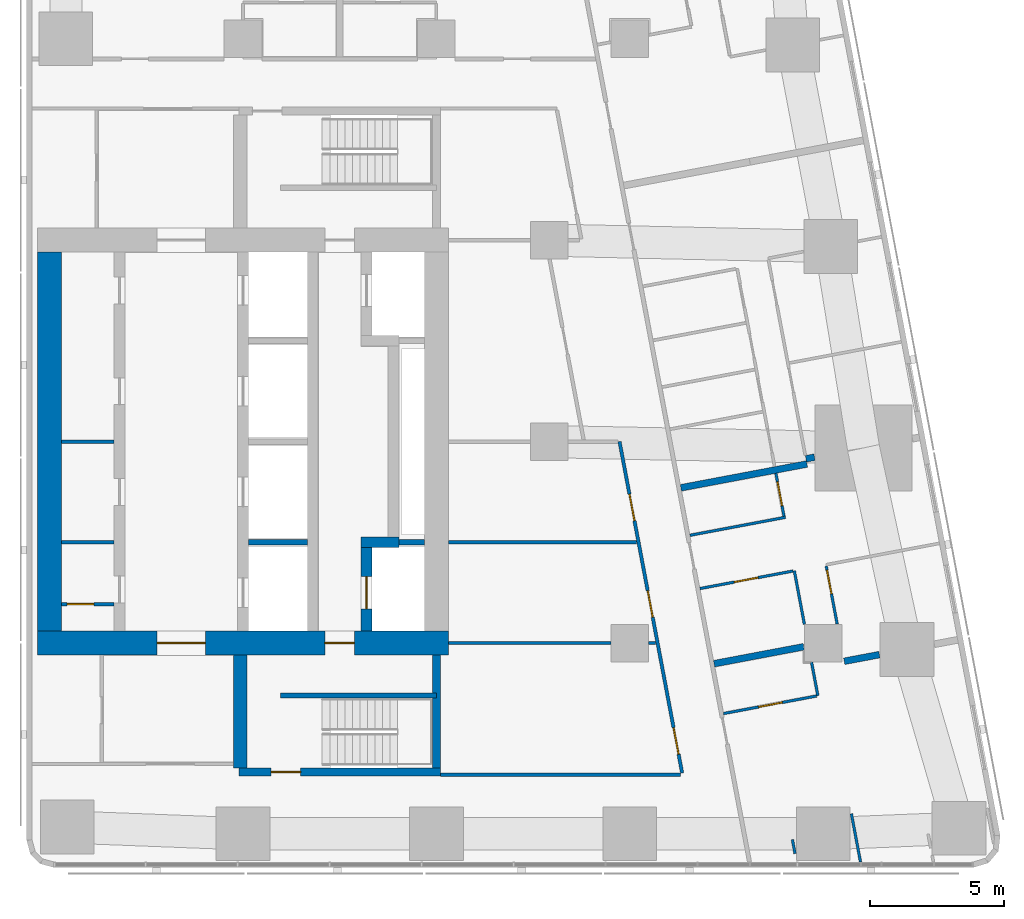
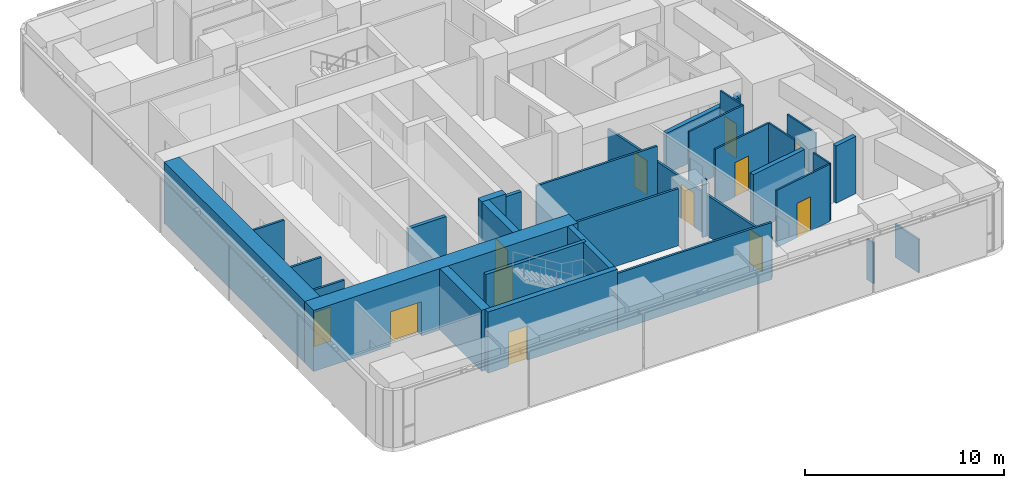
# One storey, part 5 of 11: 31 walls, 12 doors, 12 openings.
"""IFC4 building model written with IfcOpenShell, lengths in metres."""

from ifc_helpers import new_model, si_unit, direction, frame, frame_2d, origin, place, context, subcontext, project, spatial, rectangle, extrude, material, layer, layer_set, type_object, element, fill, save


model = new_model("IFC4")

# Units and contexts
model_context = context("Model", 3, precision=1e-05, world=origin(), true_north=direction((0.0, 1.0)))
body_context = subcontext(model_context, "Body", "Model", "MODEL_VIEW")
ifc_project = project(units=[si_unit("LENGTHUNIT", "METRE"), si_unit("AREAUNIT", "SQUARE_METRE"), si_unit("VOLUMEUNIT", "CUBIC_METRE"), si_unit("PLANEANGLEUNIT", "RADIAN"), si_unit("MASSUNIT", "GRAM", prefix="KILO")], contexts=[model_context])

# Site, building, storey
site_placement = place(None, origin())
site = spatial("IfcSite", under=ifc_project, at=site_placement, CompositionType="ELEMENT")
building_placement = place(site_placement, origin())
building = spatial("IfcBuilding", under=site, at=building_placement, Name="Sheger Commons Tower", CompositionType="ELEMENT")
storey_placement = place(building_placement, frame((0.0, 0.0, 259.10009765625)))
storey = spatial("IfcBuildingStorey", under=building, at=storey_placement, Name="L66", CompositionType="ELEMENT", Elevation=259.10009765625)

# Wall, opening, door
ifc_material_1 = material(Name="Concrete C50/60", Category="concrete")
ifc_layer_1 = layer(ifc_material_1, 0.39990234375)
ifc_layer_set_1 = layer_set([ifc_layer_1], Name="CORE INNER WALL 400")
wall_type_1 = type_object("IfcWallType", Name="CORE INNER WALL 400", PredefinedType="SHEAR", material=ifc_layer_set_1)
wall_1_placement = place(storey_placement, frame((26.199951171875, 15.449951171875, 0.0), z_axis=(0.0, 0.0, 1.0), x_axis=(0.0, 1.0, 0.0)))
wall_1 = element("IfcWall", 1, at=wall_1_placement, inside=storey, type_object=wall_type_1, Name="Core inner wall F L66", PredefinedType="SHEAR", context=body_context, shape_type="SweptSolid", body=[
    extrude(rectangle(XDim=3.10009765625, YDim=0.39990234375, at=frame_2d((1.550048828125, 0.0))), origin(), (0.0, 0.0, 1.0), 3.75),
])
opening_1_placement = place(wall_1_placement, frame((0.824951171875, 0.0, 0.0)))
opening_1 = element("IfcOpeningElement", 2, at=opening_1_placement, cuts=wall_1, Name="Opening LD2", PredefinedType="OPENING", context=body_context, shape_type="SweptSolid", body=[
    extrude(rectangle(XDim=1.199951171875, YDim=2.10009765625, at=frame_2d((0.60009765625, 1.050048828125))), frame((0.0, 0.2099609375, 0.0), z_axis=(0.0, -1.0, 0.0), x_axis=(1.0, 0.0, 0.0)), (0.0, 0.0, 1.0), 0.419921875),
])
ifc_material_2 = material(Name="Steel door set, fire rated", Category="steel")
door_type_1 = type_object("IfcDoorType", Name="FIREFIGHTING LIFT LANDING DOOR 1200x2100", OperationType="DOUBLE_DOOR_SLIDING", PredefinedType="DOOR", material=ifc_material_2)
door_1_placement = place(opening_1_placement, origin())
door_1 = element("IfcDoor", 3, at=door_1_placement, inside=storey, type_object=door_type_1, Name="Lift FL1 landing door", OperationType="DOUBLE_DOOR_SLIDING", OverallHeight=2.10009765625, OverallWidth=1.199951171875, PredefinedType="DOOR", context=body_context, shape_type="SweptSolid", body=[
    extrude(rectangle(XDim=1.199951171875, YDim=2.10009765625, at=frame_2d((0.60009765625, 1.050048828125))), frame((0.0, 0.02490234375, 0.0), z_axis=(0.0, -1.0, 0.0), x_axis=(1.0, 0.0, 0.0)), (0.0, 0.0, 1.0), 0.050048828125),
])
fill(opening_1, door_1)

# Wall
wall_2_placement = place(storey_placement, frame((26.0, 18.75, 0.0), z_axis=(0.0, 0.0, 1.0), x_axis=(1.0, 0.0, 0.0)))
element("IfcWall", 4, at=wall_2_placement, inside=storey, type_object=wall_type_1, Name="Core inner wall F south return L66", PredefinedType="SHEAR", context=body_context, shape_type="SweptSolid", body=[
    extrude(rectangle(XDim=1.39990234375, YDim=0.39990234375, at=frame_2d((0.699951171875, 0.0))), origin(), (0.0, 0.0, 1.0), 3.75),
])

# Wall, openings, doors
ifc_material_3 = material(Name="Concrete C50/60", Category="concrete")
ifc_layer_2 = layer(ifc_material_3, 0.89990234375)
ifc_layer_set_2 = layer_set([ifc_layer_2], Name="CORE WALL 900")
wall_type_2 = type_object("IfcWallType", Name="CORE WALL 900", PredefinedType="SHEAR", material=ifc_layer_set_2)
wall_3_placement = place(storey_placement, frame((13.949951171875, 15.0, 0.0), z_axis=(0.0, 0.0, 1.0), x_axis=(1.0, 0.0, 0.0)))
wall_3 = element("IfcWall", 5, at=wall_3_placement, inside=storey, type_object=wall_type_2, Name="Core wall south L66", PredefinedType="SHEAR", context=body_context, shape_type="SweptSolid", body=[
    extrude(rectangle(XDim=15.300048828125, YDim=0.89990234375, at=frame_2d((7.64990234375, 0.0))), origin(), (0.0, 0.0, 1.0), 3.75),
])
opening_2_placement = place(wall_3_placement, frame((4.449951171875, 0.0, 0.0)))
opening_2 = element("IfcOpeningElement", 6, at=opening_2_placement, cuts=wall_3, Name="Opening D6", PredefinedType="OPENING", context=body_context, shape_type="SweptSolid", body=[
    extrude(rectangle(XDim=1.800048828125, YDim=2.10009765625, at=frame_2d((0.89990234375, 1.050048828125))), frame((0.0, 0.4599609375, 0.0), z_axis=(0.0, -1.0, 0.0), x_axis=(1.0, 0.0, 0.0)), (0.0, 0.0, 1.0), 0.919921875),
])
opening_3_placement = place(wall_3_placement, frame((10.699951171875, 0.0, 0.0)))
opening_3 = element("IfcOpeningElement", 7, at=opening_3_placement, cuts=wall_3, Name="Opening D5", PredefinedType="OPENING", context=body_context, shape_type="SweptSolid", body=[
    extrude(rectangle(XDim=1.10009765625, YDim=2.10009765625, at=frame_2d((0.550048828125, 1.050048828125))), frame((0.0, 0.4599609375, 0.0), z_axis=(0.0, -1.0, 0.0), x_axis=(1.0, 0.0, 0.0)), (0.0, 0.0, 1.0), 0.919921875),
])
ifc_material_4 = material(Name="Steel door set, fire rated", Category="steel")
door_type_2 = type_object("IfcDoorType", Name="LOBBY DOUBLE DOOR 1800x2100", OperationType="DOUBLE_DOOR_SINGLE_SWING", PredefinedType="DOOR", material=ifc_material_4)
door_2_placement = place(opening_2_placement, origin())
door_2 = element("IfcDoor", 8, at=door_2_placement, inside=storey, type_object=door_type_2, Name="Lift lobby door", OperationType="DOUBLE_DOOR_SINGLE_SWING", OverallHeight=2.10009765625, OverallWidth=1.800048828125, PredefinedType="DOOR", context=body_context, shape_type="SweptSolid", body=[
    extrude(rectangle(XDim=1.800048828125, YDim=2.10009765625, at=frame_2d((0.89990234375, 1.050048828125))), frame((0.0, 0.02490234375, 0.0), z_axis=(0.0, -1.0, 0.0), x_axis=(1.0, 0.0, 0.0)), (0.0, 0.0, 1.0), 0.050048828125),
])
fill(opening_2, door_2)
ifc_material_5 = material(Name="Steel door set, fire rated", Category="steel")
door_type_3 = type_object("IfcDoorType", Name="STAIR DOOR 1100x2100", OperationType="NOTDEFINED", PredefinedType="DOOR", material=ifc_material_5)
door_3_placement = place(opening_3_placement, origin())
door_3 = element("IfcDoor", 9, at=door_3_placement, inside=storey, type_object=door_type_3, Name="Fire-fighting lobby door", OperationType="SINGLE_SWING_LEFT", OverallHeight=2.10009765625, OverallWidth=1.10009765625, PredefinedType="DOOR", context=body_context, shape_type="SweptSolid", body=[
    extrude(rectangle(XDim=1.10009765625, YDim=2.10009765625, at=frame_2d((0.550048828125, 1.050048828125))), frame((0.0, 0.02490234375, 0.0), z_axis=(0.0, -1.0, 0.0), x_axis=(1.0, 0.0, 0.0)), (0.0, 0.0, 1.0), 0.050048828125),
])
fill(opening_3, door_3)

# Walls
wall_4_placement = place(storey_placement, frame((14.39990234375, 15.449951171875, 0.0), z_axis=(0.0, 0.0, 1.0), x_axis=(0.0, 1.0, 0.0)))
element("IfcWall", 10, at=wall_4_placement, inside=storey, type_object=wall_type_2, Name="Core wall west L66", PredefinedType="SHEAR", context=body_context, shape_type="SweptSolid", body=[
    extrude(rectangle(XDim=14.10009765625, YDim=0.89990234375, at=frame_2d((7.050048828125, 0.0))), origin(), (0.0, 0.0, 1.0), 3.75),
])
ifc_material_6 = material(Name="Dense concrete block masonry, plastered both sides (separating wall between flats)", Category="masonry")
ifc_layer_3 = layer(ifc_material_6, 0.25)
ifc_layer_set_3 = layer_set([ifc_layer_3], Name="DEMISING WALL 250")
wall_type_3 = type_object("IfcWallType", Name="DEMISING WALL 250", PredefinedType="SOLIDWALL", material=ifc_layer_set_3)
wall_5_placement = place(storey_placement, frame((42.873046875, 21.91796875, 0.0), z_axis=(0.0, 0.0, 1.0), x_axis=(-0.982431406936, -0.186624035603, 0.0)))
element("IfcWall", 11, at=wall_5_placement, inside=storey, type_object=wall_type_3, Name="Demising wall L66", PredefinedType="SOLIDWALL", context=body_context, shape_type="SweptSolid", body=[
    extrude(rectangle(XDim=0.32177734375, YDim=0.25, at=frame_2d((0.160888671875, 0.0))), origin(), (0.0, 0.0, 1.0), 2.5),
])
wall_6_placement = place(storey_placement, frame((42.593017578125, 21.6650390625, 0.0), z_axis=(0.0, 0.0, 1.0), x_axis=(-0.982635807605, -0.185544791394, 0.0)))
element("IfcWall", 12, at=wall_6_placement, inside=storey, type_object=wall_type_3, Name="Demising wall L66", PredefinedType="SOLIDWALL", context=body_context, shape_type="SweptSolid", body=[
    extrude(rectangle(XDim=4.775146484375, YDim=0.25, at=frame_2d((2.3876953125, 0.0))), origin(), (0.0, 0.0, 1.0), 2.5),
])
wall_7_placement = place(storey_placement, frame((45.2900390625, 14.569091796875, 0.0), z_axis=(0.0, 0.0, 1.0), x_axis=(-0.982676759201, -0.185327782391, 0.0)))
element("IfcWall", 13, at=wall_7_placement, inside=storey, type_object=wall_type_3, Name="Demising wall L66", PredefinedType="SOLIDWALL", context=body_context, shape_type="SweptSolid", body=[
    extrude(rectangle(XDim=1.333251953125, YDim=0.25, at=frame_2d((0.66650390625, 0.0))), origin(), (0.0, 0.0, 1.0), 3.5),
])
wall_8_placement = place(storey_placement, frame((42.47607421875, 14.863037109375, 0.0), z_axis=(0.0, 0.0, 1.0), x_axis=(-0.982603567712, -0.185715450942, 0.0)))
element("IfcWall", 14, at=wall_8_placement, inside=storey, type_object=wall_type_3, Name="Demising wall L66", PredefinedType="SOLIDWALL", context=body_context, shape_type="SweptSolid", body=[
    extrude(rectangle(XDim=3.398193359375, YDim=0.25, at=frame_2d((1.69921875, 0.0))), origin(), (0.0, 0.0, 1.0), 3.5),
])
ifc_material_7 = material(Name="Gypsum board on steel studs", Category="steel")
ifc_layer_4 = layer(ifc_material_7, 0.10009765625)
ifc_layer_set_4 = layer_set([ifc_layer_4], Name="PARTITION 100")
wall_type_4 = type_object("IfcWallType", Name="PARTITION 100", PredefinedType="PARTITIONING", material=ifc_layer_set_4)
wall_9_placement = place(storey_placement, frame((44.248046875, 8.64599609375, 0.0), z_axis=(0.0, 0.0, 1.0), x_axis=(0.185417594585, -0.982659816833, 0.0)))
element("IfcWall", 15, at=wall_9_placement, inside=storey, type_object=wall_type_4, Name="Partition L66", PredefinedType="PARTITIONING", context=body_context, shape_type="SweptSolid", body=[
    extrude(rectangle(XDim=1.82763671875, YDim=0.10009765625, at=frame_2d((0.913818359375, 0.0))), origin(), (0.0, 0.0, 1.0), 2.0498046875),
])
wall_10_placement = place(storey_placement, frame((42.15087890625, 7.159912109375, 0.0), z_axis=(0.0, 0.0, 1.0), x_axis=(-0.185366164644, 0.982669519729, 0.0)))
element("IfcWall", 16, at=wall_10_placement, inside=storey, type_object=wall_type_4, Name="Partition L66", PredefinedType="PARTITIONING", context=body_context, shape_type="SweptSolid", body=[
    extrude(rectangle(XDim=0.533447265625, YDim=0.10009765625, at=frame_2d((0.2666015625, 0.0))), origin(), (0.0, 0.0, 1.0), 2.5),
])

# Wall, opening, door
wall_11_placement = place(storey_placement, frame((41.43701171875, 21.319091796875, 0.0), z_axis=(0.0, 0.0, 1.0), x_axis=(0.185793689589, -0.982588777113, 0.0)))
wall_11 = element("IfcWall", 17, at=wall_11_placement, inside=storey, type_object=wall_type_4, Name="Partition L66", PredefinedType="PARTITIONING", context=body_context, shape_type="SweptSolid", body=[
    extrude(rectangle(XDim=1.62548828125, YDim=0.10009765625, at=frame_2d((0.812744140625, 0.0))), origin(), (0.0, 0.0, 1.0), 3.5),
])
opening_4_placement = place(wall_11_placement, frame((0.324951171875, 0.0, 0.0)))
opening_4 = element("IfcOpeningElement", 18, at=opening_4_placement, cuts=wall_11, Name="Opening D2", PredefinedType="OPENING", context=body_context, shape_type="SweptSolid", body=[
    extrude(rectangle(XDim=0.89990234375, YDim=2.10009765625, at=frame_2d((0.449951171875, 1.050048828125))), frame((0.0, 0.06005859375, 0.0), z_axis=(0.0, -1.0, 0.0), x_axis=(1.0, 0.0, 0.0)), (0.0, 0.0, 1.0), 0.1201171875),
])
ifc_material_8 = material(Name="Timber door set", Category="wood")
door_type_4 = type_object("IfcDoorType", Name="INTERNAL DOOR 900x2100", OperationType="NOTDEFINED", PredefinedType="DOOR", material=ifc_material_8)
door_4_placement = place(opening_4_placement, origin())
door_4 = element("IfcDoor", 19, at=door_4_placement, inside=storey, type_object=door_type_4, Name="Shower room door", OperationType="SINGLE_SWING_RIGHT", OverallHeight=2.10009765625, OverallWidth=0.89990234375, PredefinedType="DOOR", context=body_context, shape_type="SweptSolid", body=[
    extrude(rectangle(XDim=0.89990234375, YDim=2.10009765625, at=frame_2d((0.449951171875, 1.050048828125))), frame((0.0, 0.02490234375, 0.0), z_axis=(0.0, -1.0, 0.0), x_axis=(1.0, 0.0, 0.0)), (0.0, 0.0, 1.0), 0.050048828125),
])
fill(opening_4, door_4)

# Wall
wall_12_placement = place(storey_placement, frame((41.798095703125, 19.681884765625, 0.0), z_axis=(0.0, 0.0, 1.0), x_axis=(-0.982681091817, -0.185304807776, 0.0)))
element("IfcWall", 20, at=wall_12_placement, inside=storey, type_object=wall_type_4, Name="Partition L66", PredefinedType="PARTITIONING", context=body_context, shape_type="SweptSolid", body=[
    extrude(rectangle(XDim=3.625732421875, YDim=0.10009765625, at=frame_2d((1.81298828125, 0.0))), origin(), (0.0, 0.0, 1.0), 3.5),
])

# Wall, opening, door
wall_13_placement = place(storey_placement, frame((43.31103515625, 17.864990234375, 0.0), z_axis=(0.0, 0.0, 1.0), x_axis=(0.185572140257, -0.982630643101, 0.0)))
wall_13 = element("IfcWall", 21, at=wall_13_placement, inside=storey, type_object=wall_type_4, Name="Partition L66", PredefinedType="PARTITIONING", context=body_context, shape_type="SweptSolid", body=[
    extrude(rectangle(XDim=2.193115234375, YDim=0.10009765625, at=frame_2d((1.0966796875, 0.0))), origin(), (0.0, 0.0, 1.0), 3.5),
])
opening_5_placement = place(wall_13_placement, frame((0.14990234375, 0.0, 0.0)))
opening_5 = element("IfcOpeningElement", 22, at=opening_5_placement, cuts=wall_13, Name="Opening D2", PredefinedType="OPENING", context=body_context, shape_type="SweptSolid", body=[
    extrude(rectangle(XDim=0.89990234375, YDim=2.10009765625, at=frame_2d((0.449951171875, 1.050048828125))), frame((0.0, 0.06005859375, 0.0), z_axis=(0.0, -1.0, 0.0), x_axis=(1.0, 0.0, 0.0)), (0.0, 0.0, 1.0), 0.1201171875),
])
door_5_placement = place(opening_5_placement, origin())
door_5 = element("IfcDoor", 23, at=door_5_placement, inside=storey, type_object=door_type_4, Name="Main bedroom door", OperationType="SINGLE_SWING_LEFT", OverallHeight=2.10009765625, OverallWidth=0.89990234375, PredefinedType="DOOR", context=body_context, shape_type="SweptSolid", body=[
    extrude(rectangle(XDim=0.89990234375, YDim=2.10009765625, at=frame_2d((0.449951171875, 1.050048828125))), frame((0.0, 0.02490234375, 0.0), z_axis=(0.0, -1.0, 0.0), x_axis=(1.0, 0.0, 0.0)), (0.0, 0.0, 1.0), 0.050048828125),
])
fill(opening_5, door_5)

# Wall
wall_14_placement = place(storey_placement, frame((42.123046875, 17.69091796875, 0.0), z_axis=(0.0, 0.0, 1.0), x_axis=(0.185183804812, -0.98270390171, 0.0)))
element("IfcWall", 24, at=wall_14_placement, inside=storey, type_object=wall_type_4, Name="Partition L66", PredefinedType="PARTITIONING", context=body_context, shape_type="SweptSolid", body=[
    extrude(rectangle(XDim=2.02490234375, YDim=0.10009765625, at=frame_2d((1.012451171875, 0.0))), origin(), (0.0, 0.0, 1.0), 3.5),
])

# Wall, opening, door
wall_15_placement = place(storey_placement, frame((42.073974609375, 17.681884765625, 0.0), z_axis=(0.0, 0.0, 1.0), x_axis=(-0.982660701716, -0.185412904897, 0.0)))
wall_15 = element("IfcWall", 25, at=wall_15_placement, inside=storey, type_object=wall_type_4, Name="Partition L66", PredefinedType="PARTITIONING", context=body_context, shape_type="SweptSolid", body=[
    extrude(rectangle(XDim=3.526123046875, YDim=0.10009765625, at=frame_2d((1.76318359375, 0.0))), origin(), (0.0, 0.0, 1.0), 3.5),
])
opening_6_placement = place(wall_15_placement, frame((1.325927734375, 0.0, 0.0)))
opening_6 = element("IfcOpeningElement", 26, at=opening_6_placement, cuts=wall_15, Name="Opening D2", PredefinedType="OPENING", context=body_context, shape_type="SweptSolid", body=[
    extrude(rectangle(XDim=0.89990234375, YDim=2.10009765625, at=frame_2d((0.449951171875, 1.050048828125))), frame((0.0, 0.06005859375, 0.0), z_axis=(0.0, -1.0, 0.0), x_axis=(1.0, 0.0, 0.0)), (0.0, 0.0, 1.0), 0.1201171875),
])
door_6_placement = place(opening_6_placement, origin())
door_6 = element("IfcDoor", 27, at=door_6_placement, inside=storey, type_object=door_type_4, Name="Store door", OperationType="SINGLE_SWING_LEFT", OverallHeight=2.10009765625, OverallWidth=0.89990234375, PredefinedType="DOOR", context=body_context, shape_type="SweptSolid", body=[
    extrude(rectangle(XDim=0.89990234375, YDim=2.10009765625, at=frame_2d((0.449951171875, 1.050048828125))), frame((0.0, 0.02490234375, 0.0), z_axis=(0.0, -1.0, 0.0), x_axis=(1.0, 0.0, 0.0)), (0.0, 0.0, 1.0), 0.050048828125),
])
fill(opening_6, door_6)

# Wall
wall_16_placement = place(storey_placement, frame((42.764892578125, 14.2900390625, 0.0), z_axis=(0.0, 0.0, 1.0), x_axis=(0.185446293138, -0.982654401283, 0.0)))
element("IfcWall", 28, at=wall_16_placement, inside=storey, type_object=wall_type_4, Name="Partition L66", PredefinedType="PARTITIONING", context=body_context, shape_type="SweptSolid", body=[
    extrude(rectangle(XDim=1.27294921875, YDim=0.10009765625, at=frame_2d((0.636474609375, 0.0))), origin(), (0.0, 0.0, 1.0), 3.5),
])

# Wall, opening, door
wall_17_placement = place(storey_placement, frame((42.951904296875, 13.030029296875, 0.0), z_axis=(0.0, 0.0, 1.0), x_axis=(-0.982585626838, -0.185810349366, 0.0)))
wall_17 = element("IfcWall", 29, at=wall_17_placement, inside=storey, type_object=wall_type_4, Name="Partition L66", PredefinedType="PARTITIONING", context=body_context, shape_type="SweptSolid", body=[
    extrude(rectangle(XDim=3.525146484375, YDim=0.10009765625, at=frame_2d((1.7626953125, 0.0))), origin(), (0.0, 0.0, 1.0), 3.5),
])
opening_7_placement = place(wall_17_placement, frame((1.299072265625, 0.0, 0.0)))
opening_7 = element("IfcOpeningElement", 30, at=opening_7_placement, cuts=wall_17, Name="Opening D2", PredefinedType="OPENING", context=body_context, shape_type="SweptSolid", body=[
    extrude(rectangle(XDim=0.89990234375, YDim=2.10009765625, at=frame_2d((0.449951171875, 1.050048828125))), frame((0.0, 0.06005859375, 0.0), z_axis=(0.0, -1.0, 0.0), x_axis=(1.0, 0.0, 0.0)), (0.0, 0.0, 1.0), 0.1201171875),
])
door_7_placement = place(opening_7_placement, origin())
door_7 = element("IfcDoor", 31, at=door_7_placement, inside=storey, type_object=door_type_4, Name="Shower room door", OperationType="SINGLE_SWING_LEFT", OverallHeight=2.10009765625, OverallWidth=0.89990234375, PredefinedType="DOOR", context=body_context, shape_type="SweptSolid", body=[
    extrude(rectangle(XDim=0.89990234375, YDim=2.10009765625, at=frame_2d((0.449951171875, 1.050048828125))), frame((0.0, 0.02490234375, 0.0), z_axis=(0.0, -1.0, 0.0), x_axis=(1.0, 0.0, 0.0)), (0.0, 0.0, 1.0), 0.050048828125),
])
fill(opening_7, door_7)

# Wall
ifc_material_9 = material(Name="Gypsum board on steel studs, two layers each side, fire rated", Category="steel")
ifc_layer_5 = layer(ifc_material_9, 0.125)
ifc_layer_set_5 = layer_set([ifc_layer_5], Name="SERVICE WALL 125")
wall_type_5 = type_object("IfcWallType", Name="SERVICE WALL 125", PredefinedType="PARTITIONING", material=ifc_layer_set_5)
wall_18_placement = place(storey_placement, frame((28.949951171875, 10.10009765625, 0.0), z_axis=(0.0, 0.0, 1.0), x_axis=(1.0, 0.0, 0.0)))
element("IfcWall", 32, at=wall_18_placement, inside=storey, type_object=wall_type_5, Name="Service room wall L66", PredefinedType="PARTITIONING", context=body_context, shape_type="SweptSolid", body=[
    extrude(rectangle(XDim=8.93310546875, YDim=0.125, at=frame_2d((4.466552734375, 0.0))), origin(), (0.0, 0.0, 1.0), 3.5),
])

# Wall, openings, doors
wall_19_placement = place(storey_placement, frame((37.947021484375, 10.1630859375, 0.0), z_axis=(0.0, 0.0, 1.0), x_axis=(-0.185589250699, 0.982627411599, 0.0)))
wall_19 = element("IfcWall", 33, at=wall_19_placement, inside=storey, type_object=wall_type_5, Name="Service room wall L66", PredefinedType="PARTITIONING", context=body_context, shape_type="SweptSolid", body=[
    extrude(rectangle(XDim=12.554931640625, YDim=0.125, at=frame_2d((6.27734375, 0.0))), origin(), (0.0, 0.0, 1.0), 2.5),
])
opening_8_placement = place(wall_19_placement, frame((0.7080078125, 0.0, 0.0)))
opening_8 = element("IfcOpeningElement", 34, at=opening_8_placement, cuts=wall_19, Name="Opening D4", PredefinedType="OPENING", context=body_context, shape_type="SweptSolid", body=[
    extrude(rectangle(XDim=1.0, YDim=2.10009765625, at=frame_2d((0.5, 1.050048828125))), frame((0.0, 0.072509765625, 0.0), z_axis=(0.0, -1.0, 0.0), x_axis=(1.0, 0.0, 0.0)), (0.0, 0.0, 1.0), 0.14501953125),
])
opening_9_placement = place(wall_19_placement, frame((5.89990234375, 0.0, 0.0)))
opening_9 = element("IfcOpeningElement", 35, at=opening_9_placement, cuts=wall_19, Name="Opening D4", PredefinedType="OPENING", context=body_context, shape_type="SweptSolid", body=[
    extrude(rectangle(XDim=1.0, YDim=2.10009765625, at=frame_2d((0.5, 1.050048828125))), frame((0.0, 0.072509765625, 0.0), z_axis=(0.0, -1.0, 0.0), x_axis=(1.0, 0.0, 0.0)), (0.0, 0.0, 1.0), 0.14501953125),
])
opening_10_placement = place(wall_19_placement, frame((9.56201171875, 0.0, 0.0)))
opening_10 = element("IfcOpeningElement", 36, at=opening_10_placement, cuts=wall_19, Name="Opening D4", PredefinedType="OPENING", context=body_context, shape_type="SweptSolid", body=[
    extrude(rectangle(XDim=1.0, YDim=2.10009765625, at=frame_2d((0.5, 1.050048828125))), frame((0.0, 0.072509765625, 0.0), z_axis=(0.0, -1.0, 0.0), x_axis=(1.0, 0.0, 0.0)), (0.0, 0.0, 1.0), 0.14501953125),
])
ifc_material_10 = material(Name="Steel door set, fire rated", Category="steel")
door_type_5 = type_object("IfcDoorType", Name="SERVICE DOOR 1000x2100", OperationType="NOTDEFINED", PredefinedType="DOOR", material=ifc_material_10)
door_8_placement = place(opening_8_placement, origin())
door_8 = element("IfcDoor", 37, at=door_8_placement, inside=storey, type_object=door_type_5, Name="Residents' study room door", OperationType="SINGLE_SWING_LEFT", OverallHeight=2.10009765625, OverallWidth=1.0, PredefinedType="DOOR", context=body_context, shape_type="SweptSolid", body=[
    extrude(rectangle(XDim=1.0, YDim=2.10009765625, at=frame_2d((0.5, 1.050048828125))), frame((0.0, 0.02490234375, 0.0), z_axis=(0.0, -1.0, 0.0), x_axis=(1.0, 0.0, 0.0)), (0.0, 0.0, 1.0), 0.050048828125),
])
fill(opening_8, door_8)
door_9_placement = place(opening_9_placement, origin())
door_9 = element("IfcDoor", 38, at=door_9_placement, inside=storey, type_object=door_type_5, Name="Residents' hobby room door", OperationType="SINGLE_SWING_LEFT", OverallHeight=2.10009765625, OverallWidth=1.0, PredefinedType="DOOR", context=body_context, shape_type="SweptSolid", body=[
    extrude(rectangle(XDim=1.0, YDim=2.10009765625, at=frame_2d((0.5, 1.050048828125))), frame((0.0, 0.02490234375, 0.0), z_axis=(0.0, -1.0, 0.0), x_axis=(1.0, 0.0, 0.0)), (0.0, 0.0, 1.0), 0.050048828125),
])
fill(opening_9, door_9)
door_10_placement = place(opening_10_placement, origin())
door_10 = element("IfcDoor", 39, at=door_10_placement, inside=storey, type_object=door_type_5, Name="Bicycle and pram store door", OperationType="SINGLE_SWING_LEFT", OverallHeight=2.10009765625, OverallWidth=1.0, PredefinedType="DOOR", context=body_context, shape_type="SweptSolid", body=[
    extrude(rectangle(XDim=1.0, YDim=2.10009765625, at=frame_2d((0.5, 1.050048828125))), frame((0.0, 0.02490234375, 0.0), z_axis=(0.0, -1.0, 0.0), x_axis=(1.0, 0.0, 0.0)), (0.0, 0.0, 1.0), 0.050048828125),
])
fill(opening_10, door_10)

# Walls
wall_20_placement = place(storey_placement, frame((29.25, 15.0, 0.0), z_axis=(0.0, 0.0, 1.0), x_axis=(1.0, 0.0, 0.0)))
element("IfcWall", 40, at=wall_20_placement, inside=storey, type_object=wall_type_5, Name="Service room wall L66", PredefinedType="PARTITIONING", context=body_context, shape_type="SweptSolid", body=[
    extrude(rectangle(XDim=6.049072265625, YDim=0.125, at=frame_2d((3.0244140625, 0.0))), origin(), (0.0, 0.0, 1.0), 3.5),
])
wall_21_placement = place(storey_placement, frame((36.700927734375, 15.0, 0.0), z_axis=(0.0, 0.0, 1.0), x_axis=(1.0, 0.0, 0.0)))
element("IfcWall", 41, at=wall_21_placement, inside=storey, type_object=wall_type_5, Name="Service room wall L66", PredefinedType="PARTITIONING", context=body_context, shape_type="SweptSolid", body=[
    extrude(rectangle(XDim=0.257080078125, YDim=0.125, at=frame_2d((0.12841796875, 0.0))), origin(), (0.0, 0.0, 1.0), 3.5),
])
wall_22_placement = place(storey_placement, frame((29.25, 18.75, 0.0), z_axis=(0.0, 0.0, 1.0), x_axis=(1.0, 0.0, 0.0)))
element("IfcWall", 42, at=wall_22_placement, inside=storey, type_object=wall_type_5, Name="Service room wall L66", PredefinedType="PARTITIONING", context=body_context, shape_type="SweptSolid", body=[
    extrude(rectangle(XDim=7.0, YDim=0.125, at=frame_2d((3.5, 0.0))), origin(), (0.0, 0.0, 1.0), 3.5),
])

# Wall, opening, door
wall_23_placement = place(storey_placement, frame((14.85009765625, 16.449951171875, 0.0), z_axis=(0.0, 0.0, 1.0), x_axis=(1.0, 0.0, 0.0)))
wall_23 = element("IfcWall", 43, at=wall_23_placement, inside=storey, type_object=wall_type_5, Name="Service room wall L66", PredefinedType="PARTITIONING", context=body_context, shape_type="SweptSolid", body=[
    extrude(rectangle(XDim=1.949951171875, YDim=0.125, at=frame_2d((0.97509765625, 0.0))), origin(), (0.0, 0.0, 1.0), 3.5),
])
opening_11_placement = place(wall_23_placement, frame((0.199951171875, 0.0, 0.0)))
opening_11 = element("IfcOpeningElement", 44, at=opening_11_placement, cuts=wall_23, Name="Opening D4", PredefinedType="OPENING", context=body_context, shape_type="SweptSolid", body=[
    extrude(rectangle(XDim=1.0, YDim=2.10009765625, at=frame_2d((0.5, 1.050048828125))), frame((0.0, 0.072509765625, 0.0), z_axis=(0.0, -1.0, 0.0), x_axis=(1.0, 0.0, 0.0)), (0.0, 0.0, 1.0), 0.14501953125),
])
door_11_placement = place(opening_11_placement, origin())
door_11 = element("IfcDoor", 45, at=door_11_placement, inside=storey, type_object=door_type_5, Name="Electrical riser door", OperationType="SINGLE_SWING_RIGHT", OverallHeight=2.10009765625, OverallWidth=1.0, PredefinedType="DOOR", context=body_context, shape_type="SweptSolid", body=[
    extrude(rectangle(XDim=1.0, YDim=2.10009765625, at=frame_2d((0.5, 1.050048828125))), frame((0.0, 0.02490234375, 0.0), z_axis=(0.0, -1.0, 0.0), x_axis=(1.0, 0.0, 0.0)), (0.0, 0.0, 1.0), 0.050048828125),
])
fill(opening_11, door_11)

# Walls
for number, where, z_axis, x_axis, name in (
    (46, (14.85009765625, 18.75, 0.0), (0.0, 0.0, 1.0), (1.0, 0.0, 0.0), "Service room wall L66"),
    (47, (14.85009765625, 22.5, 0.0), (0.0, 0.0, 1.0), (1.0, 0.0, 0.0), "Service room wall L66"),
):
    element("IfcWall", number, at=place(storey_placement, frame(where, z_axis=z_axis, x_axis=x_axis)), inside=storey, type_object=wall_type_5, Name=name, PredefinedType="PARTITIONING", context=body_context, shape_type="SweptSolid", body=[
        extrude(rectangle(XDim=1.949951171875, YDim=0.125, at=frame_2d((0.97509765625, 0.0))), origin(), (0.0, 0.0, 1.0), 3.5),
    ])
ifc_material_11 = material(Name="Hollow concrete block masonry", Category="masonry")
ifc_layer_6 = layer(ifc_material_11, 0.199951171875)
ifc_layer_set_6 = layer_set([ifc_layer_6], Name="SHAFT WALL 200")
wall_type_6 = type_object("IfcWallType", Name="SHAFT WALL 200", PredefinedType="SOLIDWALL", material=ifc_layer_set_6)
wall_24_placement = place(storey_placement, frame((21.800048828125, 18.75, 0.0), z_axis=(0.0, 0.0, 1.0), x_axis=(1.0, 0.0, 0.0)))
element("IfcWall", 48, at=wall_24_placement, inside=storey, type_object=wall_type_6, Name="Lift shaft wall L66", PredefinedType="SOLIDWALL", context=body_context, shape_type="SweptSolid", body=[
    extrude(rectangle(XDim=2.199951171875, YDim=0.199951171875, at=frame_2d((1.10009765625, 0.0))), origin(), (0.0, 0.0, 1.0), 3.5),
])
wall_25_placement = place(storey_placement, frame((27.39990234375, 18.75, 0.0), z_axis=(0.0, 0.0, 1.0), x_axis=(1.0, 0.0, 0.0)))
element("IfcWall", 49, at=wall_25_placement, inside=storey, type_object=wall_type_6, Name="Lift shaft wall L66", PredefinedType="SOLIDWALL", context=body_context, shape_type="SweptSolid", body=[
    extrude(rectangle(XDim=0.9501953125, YDim=0.199951171875, at=frame_2d((0.47509765625, 0.0))), origin(), (0.0, 0.0, 1.0), 3.5),
])

# Wall, opening, door
ifc_material_12 = material(Name="Concrete C50/60", Category="concrete")
ifc_layer_7 = layer(ifc_material_12, 0.300048828125)
ifc_layer_set_7 = layer_set([ifc_layer_7], Name="STAIR CORE WALL 300")
wall_type_7 = type_object("IfcWallType", Name="STAIR CORE WALL 300", PredefinedType="SHEAR", material=ifc_layer_set_7)
wall_26_placement = place(storey_placement, frame((21.449951171875, 10.199951171875, 0.0), z_axis=(0.0, 0.0, 1.0), x_axis=(1.0, 0.0, 0.0)))
wall_26 = element("IfcWall", 50, at=wall_26_placement, inside=storey, type_object=wall_type_7, Name="STW-L66-S1S", PredefinedType="SHEAR", context=body_context, shape_type="SweptSolid", body=[
    extrude(rectangle(XDim=7.5, YDim=0.300048828125, at=frame_2d((3.75, 0.0))), origin(), (0.0, 0.0, 1.0), 3.75),
])
opening_12_placement = place(wall_26_placement, frame((1.199951171875, 0.0, 0.0)))
opening_12 = element("IfcOpeningElement", 51, at=opening_12_placement, cuts=wall_26, Name="Opening D5", PredefinedType="OPENING", context=body_context, shape_type="SweptSolid", body=[
    extrude(rectangle(XDim=1.10009765625, YDim=2.10009765625, at=frame_2d((0.550048828125, 1.050048828125))), frame((0.0, 0.159912109375, 0.0), z_axis=(0.0, -1.0, 0.0), x_axis=(1.0, 0.0, 0.0)), (0.0, 0.0, 1.0), 0.320068359375),
])
door_12_placement = place(opening_12_placement, origin())
door_12 = element("IfcDoor", 52, at=door_12_placement, inside=storey, type_object=door_type_3, Name="Stair S1 door", OperationType="SINGLE_SWING_LEFT", OverallHeight=2.10009765625, OverallWidth=1.10009765625, PredefinedType="DOOR", context=body_context, shape_type="SweptSolid", body=[
    extrude(rectangle(XDim=1.10009765625, YDim=2.10009765625, at=frame_2d((0.550048828125, 1.050048828125))), frame((0.0, 0.02490234375, 0.0), z_axis=(0.0, -1.0, 0.0), x_axis=(1.0, 0.0, 0.0)), (0.0, 0.0, 1.0), 0.050048828125),
])
fill(opening_12, door_12)

# Walls
wall_27_placement = place(storey_placement, frame((28.800048828125, 10.35009765625, 0.0), z_axis=(0.0, 0.0, 1.0), x_axis=(0.0, 1.0, 0.0)))
element("IfcWall", 53, at=wall_27_placement, inside=storey, type_object=wall_type_7, Name="STW-L66-S1E", PredefinedType="SHEAR", context=body_context, shape_type="SweptSolid", body=[
    extrude(rectangle(XDim=4.199951171875, YDim=0.300048828125, at=frame_2d((2.10009765625, 0.0))), origin(), (0.0, 0.0, 1.0), 3.75),
])
ifc_material_13 = material(Name="Concrete C50/60", Category="concrete")
ifc_layer_8 = layer(ifc_material_13, 0.5)
ifc_layer_set_8 = layer_set([ifc_layer_8], Name="STAIR CORE WALL 500")
wall_type_8 = type_object("IfcWallType", Name="STAIR CORE WALL 500", PredefinedType="SHEAR", material=ifc_layer_set_8)
wall_28_placement = place(storey_placement, frame((21.5, 10.35009765625, 0.0), z_axis=(0.0, 0.0, 1.0), x_axis=(0.0, 1.0, 0.0)))
element("IfcWall", 54, at=wall_28_placement, inside=storey, type_object=wall_type_8, Name="STW-L66-S1W", PredefinedType="SHEAR", context=body_context, shape_type="SweptSolid", body=[
    extrude(rectangle(XDim=4.199951171875, YDim=0.5, at=frame_2d((2.10009765625, 0.0))), origin(), (0.0, 0.0, 1.0), 3.75),
])
ifc_material_14 = material(Name="Concrete C50/60", Category="concrete")
ifc_layer_9 = layer(ifc_material_14, 0.199951171875)
ifc_layer_set_9 = layer_set([ifc_layer_9], Name="STAIR SPINE WALL 200")
wall_type_9 = type_object("IfcWallType", Name="STAIR SPINE WALL 200", PredefinedType="SHEAR", material=ifc_layer_set_9)
wall_29_placement = place(storey_placement, frame((23.0, 13.050048828125, 0.0), z_axis=(0.0, 0.0, 1.0), x_axis=(1.0, 0.0, 0.0)))
element("IfcWall", 55, at=wall_29_placement, inside=storey, type_object=wall_type_9, Name="Stair spine wall L66", PredefinedType="SHEAR", context=body_context, shape_type="SweptSolid", body=[
    extrude(rectangle(XDim=5.800048828125, YDim=0.199951171875, at=frame_2d((2.89990234375, 0.0))), origin(), (0.0, 0.0, 1.0), 3.75),
])

save(model, "model.ifc")
